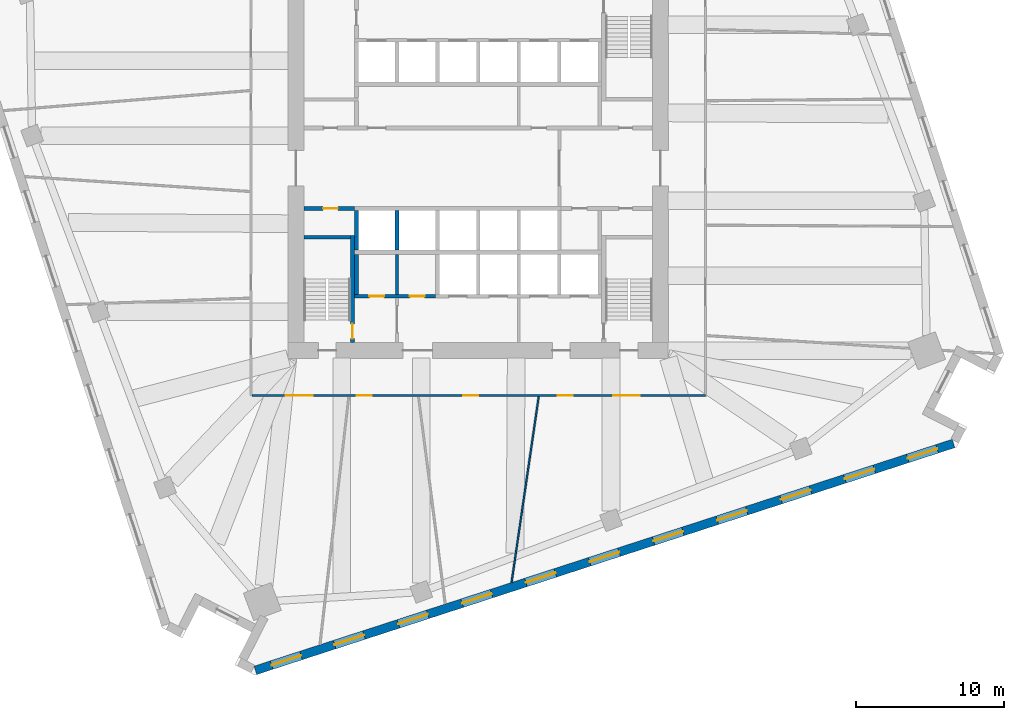
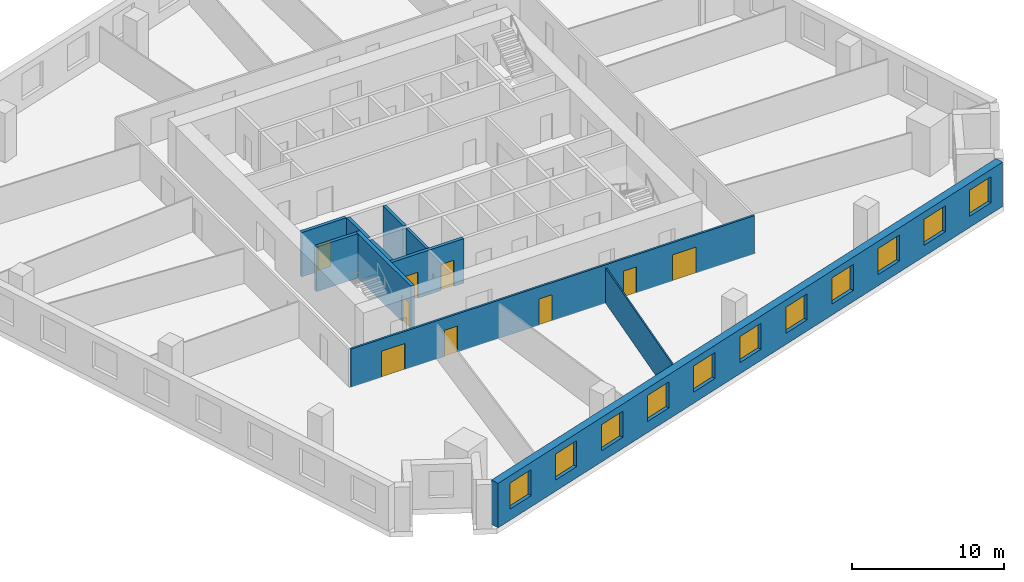
# One storey, part 6 of 12: 11 walls, 11 windows, 9 doors, 20 openings.
"""IFC4 building model written with IfcOpenShell, lengths in metres."""

import ifcopenshell
import ifcopenshell.guid

model = None  # the IFC model being written
_history = None  # IfcOwnerHistory: only IFC2X3 demands one
_inside = {}  # id of a spatial element -> (the spatial element, [elements in it])
_under = {}  # id of a project, library or spatial element -> (it, [spatial elements below it])
_declared = {}  # id of a project -> (the project, [libraries it declares])
_typed = {}  # id of a type object -> (the type object, [elements of that type])
_made_of = {}  # id of a material, layer set ... -> (it, [elements and type objects made of it])


def new_model(schema):
    """Start an empty IFC model of exactly this schema.

    Asked for "IFC4X3", IfcOpenShell would pick the latest addendum, in which some entities
    have other attributes; the version numbers below select the first issue.
    IFC2X3 requires an IfcOwnerHistory on every rooted entity: one is made here for all.
    """
    global model, _history
    if schema == "IFC4X3":
        model = ifcopenshell.file(schema_version=(4, 3, 0, 0))
    else:
        model = ifcopenshell.file(schema=schema)
    _inside.clear()
    _under.clear()
    _declared.clear()
    _typed.clear()
    _made_of.clear()
    _history = None
    if model.schema == "IFC2X3":
        org = make("IfcOrganization", Name="unknown")
        user = make(
            "IfcPersonAndOrganization",
            ThePerson=make("IfcPerson", FamilyName="unknown"),
            TheOrganization=org,
        )
        app = make(
            "IfcApplication",
            ApplicationDeveloper=org,
            Version="unknown",
            ApplicationFullName="unknown",
            ApplicationIdentifier="unknown",
        )
        _history = make(
            "IfcOwnerHistory",
            OwningUser=user,
            OwningApplication=app,
            ChangeAction="ADDED",
            CreationDate=0,
        )
    return model


def make(cls, **values):
    """One entity of the class cls with the attributes given. An attribute that is None is left unset."""
    return model.create_entity(
        cls, **{name: value for name, value in values.items() if value is not None}
    )


def rooted(cls, **values):
    """An entity with a GlobalId (a new one), such as an element, a storey or a relation."""
    return make(cls, GlobalId=ifcopenshell.guid.new(), OwnerHistory=_history, **values)


def si_unit(unit_type, name, prefix=None):
    """IfcSIUnit, for example si_unit("LENGTHUNIT", "METRE", prefix="MILLI")."""
    return make("IfcSIUnit", UnitType=unit_type, Prefix=prefix, Name=name)


def assignment(units):
    """IfcUnitAssignment: the units of a project."""
    return None if units is None else make("IfcUnitAssignment", Units=units)


def point(xyz):
    """IfcCartesianPoint."""
    return None if xyz is None else make("IfcCartesianPoint", Coordinates=xyz)


def direction(xyz):
    """IfcDirection."""
    return None if xyz is None else make("IfcDirection", DirectionRatios=xyz)


def frame(location, z_axis=None, x_axis=None):
    """IfcAxis2Placement3D, a coordinate frame: its origin and axes. An axis left out is left unset."""
    return make(
        "IfcAxis2Placement3D",
        Location=point(location),
        Axis=direction(z_axis),
        RefDirection=direction(x_axis),
    )


def frame_2d(location, x_axis=None):
    """IfcAxis2Placement2D, a coordinate frame in the plane: its origin and x axis."""
    return make(
        "IfcAxis2Placement2D", Location=point(location), RefDirection=direction(x_axis)
    )


def origin():
    """The frame at (0, 0, 0) with its axes left unset."""
    return frame((0.0, 0.0, 0.0))


def place(relative_to, where):
    """IfcLocalPlacement: puts the frame where relative to a parent placement (None: the world)."""
    return make(
        "IfcLocalPlacement", PlacementRelTo=relative_to, RelativePlacement=where
    )


def context(
    kind, dimensions, precision=None, world=None, true_north=None, identifier=None
):
    """IfcGeometricRepresentationContext, for example the 3D "Model" context."""
    return make(
        "IfcGeometricRepresentationContext",
        ContextIdentifier=identifier,
        ContextType=kind,
        CoordinateSpaceDimension=dimensions,
        Precision=precision,
        WorldCoordinateSystem=world,
        TrueNorth=true_north,
    )


def subcontext(parent, identifier, kind, view, scale=None):
    """IfcGeometricRepresentationSubContext, for example "Body" below "Model"."""
    return make(
        "IfcGeometricRepresentationSubContext",
        ContextIdentifier=identifier,
        ContextType=kind,
        ParentContext=parent,
        TargetScale=scale,
        TargetView=view,
    )


def project(units=None, contexts=None):
    """IfcProject with its units and contexts."""
    return rooted(
        "IfcProject",
        Name="project",
        RepresentationContexts=contexts,
        UnitsInContext=assignment(units),
    )


def spatial(cls, under=None, at=None, **own):
    """A site, building, storey or space (cls), placed at a placement, below another one or the project."""
    s = rooted(cls, ObjectPlacement=at, **own)
    if under is not None:
        _under.setdefault(under.id(), (under, []))[1].append(s)
    return s


def profile(cls, at=None, kind="AREA", **sizes):
    """A parametric profile (cls). Its sizes go by their IFC names, for example OverallWidth=200.0."""
    return make(cls, ProfileType=kind, Position=at, **sizes)


def rectangle(**sizes):
    """IfcRectangleProfileDef."""
    return profile("IfcRectangleProfileDef", **sizes)


def extrude(swept, where, along, depth):
    """IfcExtrudedAreaSolid: the profile swept, set in the frame where, extruded along a direction by depth."""
    return make(
        "IfcExtrudedAreaSolid",
        SweptArea=swept,
        Position=where,
        ExtrudedDirection=direction(along),
        Depth=depth,
    )


def shape(context_of_items, identifier, shape_type, items):
    """IfcShapeRepresentation: the items that make up one representation, for example the "Body"."""
    return make(
        "IfcShapeRepresentation",
        ContextOfItems=context_of_items,
        RepresentationIdentifier=identifier,
        RepresentationType=shape_type,
        Items=items,
    )


def material(Name=None, Category=None):
    """IfcMaterial."""
    return make("IfcMaterial", Name=Name, Category=Category)


def layer(
    of_material, thickness, ventilated=None, Name=None, Category=None, Priority=None
):
    """IfcMaterialLayer: one layer of a wall or slab, of a material (None: an air gap)."""
    return make(
        "IfcMaterialLayer",
        Material=of_material,
        LayerThickness=thickness,
        IsVentilated=ventilated,
        Name=Name,
        Category=Category,
        Priority=Priority,
    )


def layer_set(layers, Name=None):
    """IfcMaterialLayerSet."""
    return make("IfcMaterialLayerSet", MaterialLayers=layers, LayerSetName=Name)


def made_of(thing, what):
    """Note that an element or type object is made of a material, layer set ...; save() writes the relation."""
    if what is not None:
        _made_of.setdefault(what.id(), (what, []))[1].append(thing)
    return thing


def type_object(cls, material=None, **own):
    """A type object (cls), such as IfcWallType, which elements share."""
    return made_of(rooted(cls, **own), material)


def element(
    cls,
    number,
    at=None,
    inside=None,
    cuts=None,
    type_object=None,
    material=None,
    context=None,
    identifier="Body",
    shape_type=None,
    held_by="IfcProductDefinitionShape",
    body=None,
    shapes=None,
    **own,
):
    """One element of the class cls, such as IfcWall. Its Tag is "e" and its number.

    at: its placement. inside: the storey or other place that contains it. cuts: it is an
    opening in that element (IfcRelVoidsElement). A single representation is given by context,
    identifier, shape_type and body (its items); several are given by shapes. held_by: the class
    of the entity that holds the representations. save() writes the other relations.
    """
    e = rooted(cls, Tag="e%d" % number, ObjectPlacement=at, **own)
    if body is not None:
        shapes = [shape(context, identifier, shape_type, body)]
    if shapes is not None:
        e.Representation = make(held_by, Representations=shapes)
    if inside is not None:
        _inside.setdefault(inside.id(), (inside, []))[1].append(e)
    if cuts is not None:
        rooted(
            "IfcRelVoidsElement", RelatingBuildingElement=cuts, RelatedOpeningElement=e
        )
    if type_object is not None:
        _typed.setdefault(type_object.id(), (type_object, []))[1].append(e)
    return made_of(e, material)


def fill(opening, filler):
    """IfcRelFillsElement: the door or window that sits in an opening."""
    return rooted(
        "IfcRelFillsElement",
        RelatingOpeningElement=opening,
        RelatedBuildingElement=filler,
    )


def aggregate(whole, parts):
    """IfcRelAggregates: a whole, such as a stair, and the parts it consists of."""
    return rooted("IfcRelAggregates", RelatingObject=whole, RelatedObjects=parts)


def save(model, path):
    """Write the relations noted so far, then the file.

    IfcRelAggregates (storeys below a building ...), IfcRelContainedInSpatialStructure (elements
    in a storey), IfcRelDefinesByType, IfcRelAssociatesMaterial and IfcRelDeclares: one each for
    every whole, place, type object, material and project.
    """
    for whole, parts in _under.values():
        aggregate(whole, parts)
    for where, things in _inside.values():
        rooted(
            "IfcRelContainedInSpatialStructure",
            RelatedElements=things,
            RelatingStructure=where,
        )
    for kind, things in _typed.values():
        rooted("IfcRelDefinesByType", RelatedObjects=things, RelatingType=kind)
    for what, things in _made_of.values():
        rooted("IfcRelAssociatesMaterial", RelatedObjects=things, RelatingMaterial=what)
    for by, libraries in _declared.values():
        rooted("IfcRelDeclares", RelatingContext=by, RelatedDefinitions=libraries)
    model.write(path)


model = new_model("IFC4")

# Units and contexts
model_context = context("Model", 3, precision=1e-05, world=origin(), true_north=direction((0.0, 1.0)))
body_context = subcontext(model_context, "Body", "Model", "MODEL_VIEW")
ifc_project = project(units=[si_unit("LENGTHUNIT", "METRE"), si_unit("AREAUNIT", "SQUARE_METRE"), si_unit("VOLUMEUNIT", "CUBIC_METRE"), si_unit("PLANEANGLEUNIT", "RADIAN"), si_unit("MASSUNIT", "GRAM", prefix="KILO")], contexts=[model_context])

# Site, building, storey
site_placement = place(None, origin())
site = spatial("IfcSite", under=ifc_project, at=site_placement, CompositionType="ELEMENT")
building_placement = place(site_placement, origin())
building = spatial("IfcBuilding", under=site, at=building_placement, Name="Dilmun Exchange Tower", CompositionType="ELEMENT")
storey_placement = place(building_placement, frame((0.0, 0.0, 94.10009765625)))
storey = spatial("IfcBuildingStorey", under=building, at=storey_placement, Name="L21", CompositionType="ELEMENT", Elevation=94.10009765625)

# Wall
ifc_material_1 = material(Name="Concrete C40/50", Category="concrete")
ifc_layer_1 = layer(ifc_material_1, 0.199951171875)
ifc_layer_set_1 = layer_set([ifc_layer_1], Name="Concrete C40/50")
wall_type_1 = type_object("IfcWallType", Name="Core partition wall 200", PredefinedType="PARTITIONING", material=ifc_layer_set_1)
wall_1_placement = place(storey_placement, frame((-5.5, -8.544921875, 0.0), z_axis=(0.0, 0.0, 1.0), x_axis=(0.0, 1.0, 0.0)))
element("IfcWall", 1, at=wall_1_placement, inside=storey, type_object=wall_type_1, Name="L21 core partition wall 05", PredefinedType="PARTITIONING", context=body_context, shape_type="SweptSolid", body=[
    extrude(rectangle(XDim=2.68994140625, YDim=0.199951171875, at=frame_2d((1.344970703125, 0.0))), origin(), (0.0, 0.0, 1.0), 3.579833984375),
])

# Wall, openings, doors
ifc_layer_2 = layer(ifc_material_1, 0.25)
ifc_layer_set_2 = layer_set([ifc_layer_2], Name="Concrete C40/50")
wall_type_2 = type_object("IfcWallType", Name="Core partition wall 250", PredefinedType="PARTITIONING", material=ifc_layer_set_2)
wall_2_placement = place(storey_placement, frame((-8.3701171875, -8.675048828125, 0.0), z_axis=(0.0, 0.0, 1.0), x_axis=(1.0, 0.0, 0.0)))
wall_2 = element("IfcWall", 2, at=wall_2_placement, inside=storey, type_object=wall_type_2, Name="L21 core partition wall 03", PredefinedType="PARTITIONING", context=body_context, shape_type="SweptSolid", body=[
    extrude(rectangle(XDim=5.490234375, YDim=0.25, at=frame_2d((2.7451171875, 0.0))), origin(), (0.0, 0.0, 1.0), 3.579833984375),
])
opening_1_placement = place(wall_2_placement, frame((0.9951171875, 0.0, 0.0)))
opening_1 = element("IfcOpeningElement", 3, at=opening_1_placement, cuts=wall_2, Name="Opening CD4", PredefinedType="OPENING", context=body_context, shape_type="SweptSolid", body=[
    extrude(rectangle(XDim=1.0, YDim=2.10009765625, at=frame_2d((0.5, 1.050048828125))), frame((0.0, 0.135009765625, 0.0), z_axis=(0.0, -1.0, 0.0), x_axis=(1.0, 0.0, 0.0)), (0.0, 0.0, 1.0), 0.27001953125),
])
opening_2_placement = place(wall_2_placement, frame((3.7451171875, 0.0, 0.0)))
opening_2 = element("IfcOpeningElement", 4, at=opening_2_placement, cuts=wall_2, Name="Opening CD4", PredefinedType="OPENING", context=body_context, shape_type="SweptSolid", body=[
    extrude(rectangle(XDim=1.0, YDim=2.10009765625, at=frame_2d((0.5, 1.050048828125))), frame((0.0, 0.135009765625, 0.0), z_axis=(0.0, -1.0, 0.0), x_axis=(1.0, 0.0, 0.0)), (0.0, 0.0, 1.0), 0.27001953125),
])
ifc_material_2 = material(Name="Fire-rated steel door set", Category="steel")
door_type_1 = type_object("IfcDoorType", Name="Core room door 1000x2100", OperationType="SINGLE_SWING_LEFT", PredefinedType="DOOR", material=ifc_material_2)
door_1_placement = place(opening_1_placement, origin())
door_1 = element("IfcDoor", 5, at=door_1_placement, inside=storey, type_object=door_type_1, Name="L21 door Male WC", OperationType="SINGLE_SWING_RIGHT", OverallHeight=2.10009765625, OverallWidth=1.0, PredefinedType="DOOR", context=body_context, shape_type="SweptSolid", body=[
    extrude(rectangle(XDim=1.0, YDim=2.10009765625, at=frame_2d((0.5, 1.050048828125))), frame((0.0, 0.02490234375, 0.0), z_axis=(0.0, -1.0, 0.0), x_axis=(1.0, 0.0, 0.0)), (0.0, 0.0, 1.0), 0.050048828125),
])
fill(opening_1, door_1)
door_2_placement = place(opening_2_placement, origin())
door_2 = element("IfcDoor", 6, at=door_2_placement, inside=storey, type_object=door_type_1, Name="L21 door Female WC", OperationType="SINGLE_SWING_RIGHT", OverallHeight=2.10009765625, OverallWidth=1.0, PredefinedType="DOOR", context=body_context, shape_type="SweptSolid", body=[
    extrude(rectangle(XDim=1.0, YDim=2.10009765625, at=frame_2d((0.5, 1.050048828125))), frame((0.0, 0.02490234375, 0.0), z_axis=(0.0, -1.0, 0.0), x_axis=(1.0, 0.0, 0.0)), (0.0, 0.0, 1.0), 0.050048828125),
])
fill(opening_2, door_2)

# Wall
wall_3_placement = place(storey_placement, frame((-8.25, -8.544921875, 0.0), z_axis=(0.0, 0.0, 1.0), x_axis=(0.0, 1.0, 0.0)))
element("IfcWall", 7, at=wall_3_placement, inside=storey, type_object=wall_type_2, Name="L21 core partition wall 04", PredefinedType="PARTITIONING", context=body_context, shape_type="SweptSolid", body=[
    extrude(rectangle(XDim=2.68994140625, YDim=0.25, at=frame_2d((1.344970703125, 0.0))), origin(), (0.0, 0.0, 1.0), 3.579833984375),
])

# Wall, opening, door
wall_4_placement = place(storey_placement, frame((-11.794921875, -2.72509765625, 0.0), z_axis=(0.0, 0.0, 1.0), x_axis=(1.0, 0.0, 0.0)))
wall_4 = element("IfcWall", 8, at=wall_4_placement, inside=storey, type_object=wall_type_2, Name="L21 core partition wall 07", PredefinedType="PARTITIONING", context=body_context, shape_type="SweptSolid", body=[
    extrude(rectangle(XDim=3.4150390625, YDim=0.25, at=frame_2d((1.70751953125, 0.0))), origin(), (0.0, 0.0, 1.0), 3.579833984375),
])
opening_3_placement = place(wall_4_placement, frame((1.294921875, 0.0, 0.0)))
opening_3 = element("IfcOpeningElement", 9, at=opening_3_placement, cuts=wall_4, Name="Opening CD4", PredefinedType="OPENING", context=body_context, shape_type="SweptSolid", body=[
    extrude(rectangle(XDim=1.0, YDim=2.10009765625, at=frame_2d((0.5, 1.050048828125))), frame((0.0, 0.135009765625, 0.0), z_axis=(0.0, -1.0, 0.0), x_axis=(1.0, 0.0, 0.0)), (0.0, 0.0, 1.0), 0.27001953125),
])
door_3_placement = place(opening_3_placement, origin())
door_3 = element("IfcDoor", 10, at=door_3_placement, inside=storey, type_object=door_type_1, Name="L21 door Accessible WC", OperationType="SINGLE_SWING_RIGHT", OverallHeight=2.10009765625, OverallWidth=1.0, PredefinedType="DOOR", context=body_context, shape_type="SweptSolid", body=[
    extrude(rectangle(XDim=1.0, YDim=2.10009765625, at=frame_2d((0.5, 1.050048828125))), frame((0.0, 0.02490234375, 0.0), z_axis=(0.0, -1.0, 0.0), x_axis=(1.0, 0.0, 0.0)), (0.0, 0.0, 1.0), 0.050048828125),
])
fill(opening_3, door_3)

# Wall, openings, doors
ifc_material_3 = material(Name="Corridor wall 150")
ifc_layer_3 = layer(ifc_material_3, 0.14990234375)
ifc_layer_set_3 = layer_set([ifc_layer_3], Name="Corridor wall 150")
wall_type_3 = type_object("IfcWallType", Name="Corridor wall 150", PredefinedType="PARTITIONING", material=ifc_layer_set_3)
wall_5_placement = place(storey_placement, frame((-15.324951171875, -15.39990234375, 0.0), z_axis=(0.0, 0.0, 1.0), x_axis=(1.0, 0.0, 0.0)))
wall_5 = element("IfcWall", 11, at=wall_5_placement, inside=storey, type_object=wall_type_3, Name="Corridor wall", PredefinedType="PARTITIONING", context=body_context, shape_type="SweptSolid", body=[
    extrude(rectangle(XDim=30.724853515625, YDim=0.14990234375, at=frame_2d((15.3623046875, 0.0))), origin(), (0.0, 0.0, 1.0), 3.079833984375),
])
opening_4_placement = place(wall_5_placement, frame((2.300048828125, 0.0, 0.0)))
opening_4 = element("IfcOpeningElement", 12, at=opening_4_placement, cuts=wall_5, Name="Opening TF20-D06", PredefinedType="OPENING", context=body_context, shape_type="SweptSolid", body=[
    extrude(rectangle(XDim=1.800048828125, YDim=2.10009765625, at=frame_2d((0.89990234375, 1.050048828125))), frame((0.0, 0.0849609375, 0.0), z_axis=(0.0, -1.0, 0.0), x_axis=(1.0, 0.0, 0.0)), (0.0, 0.0, 1.0), 0.169921875),
])
opening_5_placement = place(wall_5_placement, frame((7.10888671875, 0.0, 0.0)))
opening_5 = element("IfcOpeningElement", 13, at=opening_5_placement, cuts=wall_5, Name="Opening TF20-D08", PredefinedType="OPENING", context=body_context, shape_type="SweptSolid", body=[
    extrude(rectangle(XDim=1.0, YDim=2.10009765625, at=frame_2d((0.5, 1.050048828125))), frame((0.0, 0.0849609375, 0.0), z_axis=(0.0, -1.0, 0.0), x_axis=(1.0, 0.0, 0.0)), (0.0, 0.0, 1.0), 0.169921875),
])
opening_6_placement = place(wall_5_placement, frame((14.3203125, 0.0, 0.0)))
opening_6 = element("IfcOpeningElement", 14, at=opening_6_placement, cuts=wall_5, Name="Opening TF20-D11", PredefinedType="OPENING", context=body_context, shape_type="SweptSolid", body=[
    extrude(rectangle(XDim=1.0, YDim=2.10009765625, at=frame_2d((0.5, 1.050048828125))), frame((0.0, 0.0849609375, 0.0), z_axis=(0.0, -1.0, 0.0), x_axis=(1.0, 0.0, 0.0)), (0.0, 0.0, 1.0), 0.169921875),
])
opening_7_placement = place(wall_5_placement, frame((24.48486328125, 0.0, 0.0)))
opening_7 = element("IfcOpeningElement", 15, at=opening_7_placement, cuts=wall_5, Name="Opening TF20-D13", PredefinedType="OPENING", context=body_context, shape_type="SweptSolid", body=[
    extrude(rectangle(XDim=1.800048828125, YDim=2.10009765625, at=frame_2d((0.89990234375, 1.050048828125))), frame((0.0, 0.0849609375, 0.0), z_axis=(0.0, -1.0, 0.0), x_axis=(1.0, 0.0, 0.0)), (0.0, 0.0, 1.0), 0.169921875),
])
opening_8_placement = place(wall_5_placement, frame((20.73486328125, 0.0, 0.0)))
opening_8 = element("IfcOpeningElement", 16, at=opening_8_placement, cuts=wall_5, Name="Opening TF20-D14", PredefinedType="OPENING", context=body_context, shape_type="SweptSolid", body=[
    extrude(rectangle(XDim=1.0, YDim=2.10009765625, at=frame_2d((0.5, 1.050048828125))), frame((0.0, 0.0849609375, 0.0), z_axis=(0.0, -1.0, 0.0), x_axis=(1.0, 0.0, 0.0)), (0.0, 0.0, 1.0), 0.169921875),
])
ifc_material_4 = material(Name="Fire door 1000 x 2100")
door_type_2 = type_object("IfcDoorType", Name="Fire door 1000 x 2100", OperationType="NOTDEFINED", PredefinedType="DOOR", material=ifc_material_4)
door_4_placement = place(opening_5_placement, frame((1.0, 0.0, 0.0), z_axis=(0.0, 0.0, 1.0), x_axis=(-1.0, 0.0, 0.0)))
door_4 = element("IfcDoor", 17, at=door_4_placement, inside=storey, type_object=door_type_2, Name="Door TF20-D08", OperationType="SINGLE_SWING_LEFT", OverallHeight=2.10009765625, OverallWidth=1.0, PredefinedType="DOOR", context=body_context, shape_type="SweptSolid", body=[
    extrude(rectangle(XDim=1.0, YDim=2.10009765625, at=frame_2d((0.5, 1.050048828125))), frame((0.0, 0.02490234375, 0.0), z_axis=(0.0, -1.0, 0.0), x_axis=(1.0, 0.0, 0.0)), (0.0, 0.0, 1.0), 0.050048828125),
])
fill(opening_5, door_4)
door_5_placement = place(opening_6_placement, frame((1.0, 0.0, 0.0), z_axis=(0.0, 0.0, 1.0), x_axis=(-1.0, 0.0, 0.0)))
door_5 = element("IfcDoor", 18, at=door_5_placement, inside=storey, type_object=door_type_2, Name="Door TF20-D11", OperationType="SINGLE_SWING_LEFT", OverallHeight=2.10009765625, OverallWidth=1.0, PredefinedType="DOOR", context=body_context, shape_type="SweptSolid", body=[
    extrude(rectangle(XDim=1.0, YDim=2.10009765625, at=frame_2d((0.5, 1.050048828125))), frame((0.0, 0.02490234375, 0.0), z_axis=(0.0, -1.0, 0.0), x_axis=(1.0, 0.0, 0.0)), (0.0, 0.0, 1.0), 0.050048828125),
])
fill(opening_6, door_5)
door_6_placement = place(opening_8_placement, frame((1.0, 0.0, 0.0), z_axis=(0.0, 0.0, 1.0), x_axis=(-1.0, 0.0, 0.0)))
door_6 = element("IfcDoor", 19, at=door_6_placement, inside=storey, type_object=door_type_2, Name="Door TF20-D14", OperationType="SINGLE_SWING_LEFT", OverallHeight=2.10009765625, OverallWidth=1.0, PredefinedType="DOOR", context=body_context, shape_type="SweptSolid", body=[
    extrude(rectangle(XDim=1.0, YDim=2.10009765625, at=frame_2d((0.5, 1.050048828125))), frame((0.0, 0.02490234375, 0.0), z_axis=(0.0, -1.0, 0.0), x_axis=(1.0, 0.0, 0.0)), (0.0, 0.0, 1.0), 0.050048828125),
])
fill(opening_8, door_6)
ifc_material_5 = material(Name="Fire door pair 1800 x 2100")
door_type_3 = type_object("IfcDoorType", Name="Fire door pair 1800 x 2100", OperationType="NOTDEFINED", PredefinedType="DOOR", material=ifc_material_5)
door_7_placement = place(opening_4_placement, frame((1.800048828125, 0.0, 0.0), z_axis=(0.0, 0.0, 1.0), x_axis=(-1.0, 0.0, 0.0)))
door_7 = element("IfcDoor", 20, at=door_7_placement, inside=storey, type_object=door_type_3, Name="Door TF20-D06", OperationType="DOUBLE_DOOR_SINGLE_SWING", OverallHeight=2.10009765625, OverallWidth=1.800048828125, PredefinedType="DOOR", context=body_context, shape_type="SweptSolid", body=[
    extrude(rectangle(XDim=1.800048828125, YDim=2.10009765625, at=frame_2d((0.89990234375, 1.050048828125))), frame((0.0, 0.02490234375, 0.0), z_axis=(0.0, -1.0, 0.0), x_axis=(1.0, 0.0, 0.0)), (0.0, 0.0, 1.0), 0.050048828125),
])
fill(opening_4, door_7)
door_8_placement = place(opening_7_placement, frame((1.800048828125, 0.0, 0.0), z_axis=(0.0, 0.0, 1.0), x_axis=(-1.0, 0.0, 0.0)))
door_8 = element("IfcDoor", 21, at=door_8_placement, inside=storey, type_object=door_type_3, Name="Door TF20-D13", OperationType="DOUBLE_DOOR_SINGLE_SWING", OverallHeight=2.10009765625, OverallWidth=1.800048828125, PredefinedType="DOOR", context=body_context, shape_type="SweptSolid", body=[
    extrude(rectangle(XDim=1.800048828125, YDim=2.10009765625, at=frame_2d((0.89990234375, 1.050048828125))), frame((0.0, 0.02490234375, 0.0), z_axis=(0.0, -1.0, 0.0), x_axis=(1.0, 0.0, 0.0)), (0.0, 0.0, 1.0), 0.050048828125),
])
fill(opening_7, door_8)

# Walls
ifc_layer_4 = layer(ifc_material_1, 0.25)
ifc_layer_set_4 = layer_set([ifc_layer_4], Name="Concrete C40/50")
wall_type_4 = type_object("IfcWallType", Name="Lift shaft wall 250", PredefinedType="SOLIDWALL", material=ifc_layer_set_4)
for number, where, z_axis, x_axis, name in (
    (22, (-8.25, -5.550048828125, 0.0), (0.0, 0.0, 1.0), (0.0, 1.0, 0.0), "L21 lift shaft divider S10"),
    (23, (-5.5, -5.550048828125, 0.0), (0.0, 0.0, 1.0), (0.0, 1.0, 0.0), "L21 lift shaft divider S11"),
):
    element("IfcWall", number, at=place(storey_placement, frame(where, z_axis=z_axis, x_axis=x_axis)), inside=storey, type_object=wall_type_4, Name=name, PredefinedType="SOLIDWALL", context=body_context, shape_type="SweptSolid", body=[
        extrude(rectangle(XDim=2.699951171875, YDim=0.25, at=frame_2d((1.35009765625, 0.0))), origin(), (0.0, 0.0, 1.0), 3.579833984375),
    ])
ifc_material_6 = material(Name="Partition 100")
ifc_layer_5 = layer(ifc_material_6, 0.10009765625)
ifc_layer_set_5 = layer_set([ifc_layer_5], Name="Partition 100")
wall_type_5 = type_object("IfcWallType", Name="Partition 100", PredefinedType="PARTITIONING", material=ifc_layer_set_5)
wall_6_placement = place(storey_placement, frame((2.26416015625, -28.072265625, 0.0), z_axis=(0.0, 0.0, 1.0), x_axis=(0.144598494154, 0.989490412025, 0.0)))
element("IfcWall", 24, at=wall_6_placement, inside=storey, type_object=wall_type_5, Name="Partition", PredefinedType="PARTITIONING", context=body_context, shape_type="SweptSolid", body=[
    extrude(rectangle(XDim=12.723876953125, YDim=0.10009765625, at=frame_2d((6.36181640625, 0.0))), origin(), (0.0, 0.0, 1.0), 2.829833984375),
])

# Wall, openings, windows
ifc_material_7 = material(Name="Precast concrete C50/60", Category="concrete")
ifc_layer_6 = layer(ifc_material_7, 0.60009765625)
ifc_layer_set_6 = layer_set([ifc_layer_6], Name="Precast concrete C50/60")
wall_type_6 = type_object("IfcWallType", Name="Precast stone-clad wall 600", PredefinedType="STANDARD", material=ifc_layer_set_6)
wall_7_placement = place(storey_placement, frame((-15.098388671875, -34.03125, 0.0), z_axis=(0.0, 0.0, 1.0), x_axis=(0.951056568917, 0.309016832421, 0.0)))
wall_7 = element("IfcWall", 25, at=wall_7_placement, inside=storey, type_object=wall_type_6, Name="Facade wall L21-15", PredefinedType="STANDARD", context=body_context, shape_type="SweptSolid", body=[
    extrude(rectangle(XDim=49.75146484375, YDim=0.60009765625, at=frame_2d((24.875732421875, 0.0))), origin(), (0.0, 0.0, 1.0), 3.579833984375),
])
opening_9_placement = place(wall_7_placement, frame((1.16064453125, 0.0, 0.89990234375)))
opening_9 = element("IfcOpeningElement", 26, at=opening_9_placement, cuts=wall_7, Name="Opening W210-210", PredefinedType="OPENING", context=body_context, shape_type="SweptSolid", body=[
    extrude(rectangle(XDim=2.10009765625, YDim=2.10009765625, at=frame_2d((1.050048828125, 1.050048828125))), frame((0.0, 0.31005859375, 0.0), z_axis=(0.0, -1.0, 0.0), x_axis=(1.0, 0.0, 0.0)), (0.0, 0.0, 1.0), 0.6201171875),
])
opening_10_placement = place(wall_7_placement, frame((5.643798828125, 0.0, 0.89990234375)))
opening_10 = element("IfcOpeningElement", 27, at=opening_10_placement, cuts=wall_7, Name="Opening W210-210", PredefinedType="OPENING", context=body_context, shape_type="SweptSolid", body=[
    extrude(rectangle(XDim=2.10009765625, YDim=2.10009765625, at=frame_2d((1.050048828125, 1.050048828125))), frame((0.0, 0.31005859375, 0.0), z_axis=(0.0, -1.0, 0.0), x_axis=(1.0, 0.0, 0.0)), (0.0, 0.0, 1.0), 0.6201171875),
])
opening_11_placement = place(wall_7_placement, frame((10.189453125, 0.0, 0.89990234375)))
opening_11 = element("IfcOpeningElement", 28, at=opening_11_placement, cuts=wall_7, Name="Opening W210-210", PredefinedType="OPENING", context=body_context, shape_type="SweptSolid", body=[
    extrude(rectangle(XDim=2.10009765625, YDim=2.10009765625, at=frame_2d((1.050048828125, 1.050048828125))), frame((0.0, 0.31005859375, 0.0), z_axis=(0.0, -1.0, 0.0), x_axis=(1.0, 0.0, 0.0)), (0.0, 0.0, 1.0), 0.6201171875),
])
opening_12_placement = place(wall_7_placement, frame((14.73486328125, 0.0, 0.89990234375)))
opening_12 = element("IfcOpeningElement", 29, at=opening_12_placement, cuts=wall_7, Name="Opening W210-210", PredefinedType="OPENING", context=body_context, shape_type="SweptSolid", body=[
    extrude(rectangle(XDim=2.10009765625, YDim=2.10009765625, at=frame_2d((1.050048828125, 1.050048828125))), frame((0.0, 0.31005859375, 0.0), z_axis=(0.0, -1.0, 0.0), x_axis=(1.0, 0.0, 0.0)), (0.0, 0.0, 1.0), 0.6201171875),
])
opening_13_placement = place(wall_7_placement, frame((19.2802734375, 0.0, 0.89990234375)))
opening_13 = element("IfcOpeningElement", 30, at=opening_13_placement, cuts=wall_7, Name="Opening W210-210", PredefinedType="OPENING", context=body_context, shape_type="SweptSolid", body=[
    extrude(rectangle(XDim=2.10009765625, YDim=2.10009765625, at=frame_2d((1.050048828125, 1.050048828125))), frame((0.0, 0.31005859375, 0.0), z_axis=(0.0, -1.0, 0.0), x_axis=(1.0, 0.0, 0.0)), (0.0, 0.0, 1.0), 0.6201171875),
])
opening_14_placement = place(wall_7_placement, frame((23.82568359375, 0.0, 0.89990234375)))
opening_14 = element("IfcOpeningElement", 31, at=opening_14_placement, cuts=wall_7, Name="Opening W210-210", PredefinedType="OPENING", context=body_context, shape_type="SweptSolid", body=[
    extrude(rectangle(XDim=2.10009765625, YDim=2.10009765625, at=frame_2d((1.050048828125, 1.050048828125))), frame((0.0, 0.31005859375, 0.0), z_axis=(0.0, -1.0, 0.0), x_axis=(1.0, 0.0, 0.0)), (0.0, 0.0, 1.0), 0.6201171875),
])
opening_15_placement = place(wall_7_placement, frame((28.37109375, 0.0, 0.89990234375)))
opening_15 = element("IfcOpeningElement", 32, at=opening_15_placement, cuts=wall_7, Name="Opening W210-210", PredefinedType="OPENING", context=body_context, shape_type="SweptSolid", body=[
    extrude(rectangle(XDim=2.10009765625, YDim=2.10009765625, at=frame_2d((1.050048828125, 1.050048828125))), frame((0.0, 0.31005859375, 0.0), z_axis=(0.0, -1.0, 0.0), x_axis=(1.0, 0.0, 0.0)), (0.0, 0.0, 1.0), 0.6201171875),
])
opening_16_placement = place(wall_7_placement, frame((32.91650390625, 0.0, 0.89990234375)))
opening_16 = element("IfcOpeningElement", 33, at=opening_16_placement, cuts=wall_7, Name="Opening W210-210", PredefinedType="OPENING", context=body_context, shape_type="SweptSolid", body=[
    extrude(rectangle(XDim=2.10009765625, YDim=2.10009765625, at=frame_2d((1.050048828125, 1.050048828125))), frame((0.0, 0.31005859375, 0.0), z_axis=(0.0, -1.0, 0.0), x_axis=(1.0, 0.0, 0.0)), (0.0, 0.0, 1.0), 0.6201171875),
])
opening_17_placement = place(wall_7_placement, frame((37.462158203125, 0.0, 0.89990234375)))
opening_17 = element("IfcOpeningElement", 34, at=opening_17_placement, cuts=wall_7, Name="Opening W210-210", PredefinedType="OPENING", context=body_context, shape_type="SweptSolid", body=[
    extrude(rectangle(XDim=2.10009765625, YDim=2.10009765625, at=frame_2d((1.050048828125, 1.050048828125))), frame((0.0, 0.31005859375, 0.0), z_axis=(0.0, -1.0, 0.0), x_axis=(1.0, 0.0, 0.0)), (0.0, 0.0, 1.0), 0.6201171875),
])
opening_18_placement = place(wall_7_placement, frame((42.007568359375, 0.0, 0.89990234375)))
opening_18 = element("IfcOpeningElement", 35, at=opening_18_placement, cuts=wall_7, Name="Opening W210-210", PredefinedType="OPENING", context=body_context, shape_type="SweptSolid", body=[
    extrude(rectangle(XDim=2.10009765625, YDim=2.10009765625, at=frame_2d((1.050048828125, 1.050048828125))), frame((0.0, 0.31005859375, 0.0), z_axis=(0.0, -1.0, 0.0), x_axis=(1.0, 0.0, 0.0)), (0.0, 0.0, 1.0), 0.6201171875),
])
opening_19_placement = place(wall_7_placement, frame((46.490966796875, 0.0, 0.89990234375)))
opening_19 = element("IfcOpeningElement", 36, at=opening_19_placement, cuts=wall_7, Name="Opening W210-210", PredefinedType="OPENING", context=body_context, shape_type="SweptSolid", body=[
    extrude(rectangle(XDim=2.10009765625, YDim=2.10009765625, at=frame_2d((1.050048828125, 1.050048828125))), frame((0.0, 0.31005859375, 0.0), z_axis=(0.0, -1.0, 0.0), x_axis=(1.0, 0.0, 0.0)), (0.0, 0.0, 1.0), 0.6201171875),
])
ifc_material_8 = material(Name="Clear low-emissivity glass in aluminium frame", Category="aluminium")
window_type = type_object("IfcWindowType", Name="Punched window 2100 x 2100", PartitioningType="DOUBLE_PANEL_VERTICAL", PredefinedType="WINDOW", material=ifc_material_8)
window_1_placement = place(opening_9_placement, origin())
window_1 = element("IfcWindow", 37, at=window_1_placement, inside=storey, type_object=window_type, Name="Window 16.1", OverallHeight=2.10009765625, OverallWidth=2.10009765625, PartitioningType="SINGLE_PANEL", PredefinedType="WINDOW", context=body_context, shape_type="SweptSolid", body=[
    extrude(rectangle(XDim=2.10009765625, YDim=2.10009765625, at=frame_2d((1.050048828125, 1.050048828125))), frame((0.0, 0.030029296875, 0.0), z_axis=(0.0, -1.0, 0.0), x_axis=(1.0, 0.0, 0.0)), (0.0, 0.0, 1.0), 0.06005859375),
])
fill(opening_9, window_1)
window_2_placement = place(opening_10_placement, origin())
window_2 = element("IfcWindow", 38, at=window_2_placement, inside=storey, type_object=window_type, Name="Window 16.2", OverallHeight=2.10009765625, OverallWidth=2.10009765625, PartitioningType="SINGLE_PANEL", PredefinedType="WINDOW", context=body_context, shape_type="SweptSolid", body=[
    extrude(rectangle(XDim=2.10009765625, YDim=2.10009765625, at=frame_2d((1.050048828125, 1.050048828125))), frame((0.0, 0.030029296875, 0.0), z_axis=(0.0, -1.0, 0.0), x_axis=(1.0, 0.0, 0.0)), (0.0, 0.0, 1.0), 0.06005859375),
])
fill(opening_10, window_2)
window_3_placement = place(opening_11_placement, origin())
window_3 = element("IfcWindow", 39, at=window_3_placement, inside=storey, type_object=window_type, Name="Window 16.3", OverallHeight=2.10009765625, OverallWidth=2.10009765625, PartitioningType="SINGLE_PANEL", PredefinedType="WINDOW", context=body_context, shape_type="SweptSolid", body=[
    extrude(rectangle(XDim=2.10009765625, YDim=2.10009765625, at=frame_2d((1.050048828125, 1.050048828125))), frame((0.0, 0.030029296875, 0.0), z_axis=(0.0, -1.0, 0.0), x_axis=(1.0, 0.0, 0.0)), (0.0, 0.0, 1.0), 0.06005859375),
])
fill(opening_11, window_3)
window_4_placement = place(opening_12_placement, origin())
window_4 = element("IfcWindow", 40, at=window_4_placement, inside=storey, type_object=window_type, Name="Window 16.4", OverallHeight=2.10009765625, OverallWidth=2.10009765625, PartitioningType="SINGLE_PANEL", PredefinedType="WINDOW", context=body_context, shape_type="SweptSolid", body=[
    extrude(rectangle(XDim=2.10009765625, YDim=2.10009765625, at=frame_2d((1.050048828125, 1.050048828125))), frame((0.0, 0.030029296875, 0.0), z_axis=(0.0, -1.0, 0.0), x_axis=(1.0, 0.0, 0.0)), (0.0, 0.0, 1.0), 0.06005859375),
])
fill(opening_12, window_4)
window_5_placement = place(opening_13_placement, origin())
window_5 = element("IfcWindow", 41, at=window_5_placement, inside=storey, type_object=window_type, Name="Window 16.5", OverallHeight=2.10009765625, OverallWidth=2.10009765625, PartitioningType="SINGLE_PANEL", PredefinedType="WINDOW", context=body_context, shape_type="SweptSolid", body=[
    extrude(rectangle(XDim=2.10009765625, YDim=2.10009765625, at=frame_2d((1.050048828125, 1.050048828125))), frame((0.0, 0.030029296875, 0.0), z_axis=(0.0, -1.0, 0.0), x_axis=(1.0, 0.0, 0.0)), (0.0, 0.0, 1.0), 0.06005859375),
])
fill(opening_13, window_5)
window_6_placement = place(opening_14_placement, origin())
window_6 = element("IfcWindow", 42, at=window_6_placement, inside=storey, type_object=window_type, Name="Window 16.6", OverallHeight=2.10009765625, OverallWidth=2.10009765625, PartitioningType="SINGLE_PANEL", PredefinedType="WINDOW", context=body_context, shape_type="SweptSolid", body=[
    extrude(rectangle(XDim=2.10009765625, YDim=2.10009765625, at=frame_2d((1.050048828125, 1.050048828125))), frame((0.0, 0.030029296875, 0.0), z_axis=(0.0, -1.0, 0.0), x_axis=(1.0, 0.0, 0.0)), (0.0, 0.0, 1.0), 0.06005859375),
])
fill(opening_14, window_6)
window_7_placement = place(opening_15_placement, origin())
window_7 = element("IfcWindow", 43, at=window_7_placement, inside=storey, type_object=window_type, Name="Window 16.7", OverallHeight=2.10009765625, OverallWidth=2.10009765625, PartitioningType="SINGLE_PANEL", PredefinedType="WINDOW", context=body_context, shape_type="SweptSolid", body=[
    extrude(rectangle(XDim=2.10009765625, YDim=2.10009765625, at=frame_2d((1.050048828125, 1.050048828125))), frame((0.0, 0.030029296875, 0.0), z_axis=(0.0, -1.0, 0.0), x_axis=(1.0, 0.0, 0.0)), (0.0, 0.0, 1.0), 0.06005859375),
])
fill(opening_15, window_7)
window_8_placement = place(opening_16_placement, origin())
window_8 = element("IfcWindow", 44, at=window_8_placement, inside=storey, type_object=window_type, Name="Window 16.8", OverallHeight=2.10009765625, OverallWidth=2.10009765625, PartitioningType="SINGLE_PANEL", PredefinedType="WINDOW", context=body_context, shape_type="SweptSolid", body=[
    extrude(rectangle(XDim=2.10009765625, YDim=2.10009765625, at=frame_2d((1.050048828125, 1.050048828125))), frame((0.0, 0.030029296875, 0.0), z_axis=(0.0, -1.0, 0.0), x_axis=(1.0, 0.0, 0.0)), (0.0, 0.0, 1.0), 0.06005859375),
])
fill(opening_16, window_8)
window_9_placement = place(opening_17_placement, origin())
window_9 = element("IfcWindow", 45, at=window_9_placement, inside=storey, type_object=window_type, Name="Window 16.9", OverallHeight=2.10009765625, OverallWidth=2.10009765625, PartitioningType="SINGLE_PANEL", PredefinedType="WINDOW", context=body_context, shape_type="SweptSolid", body=[
    extrude(rectangle(XDim=2.10009765625, YDim=2.10009765625, at=frame_2d((1.050048828125, 1.050048828125))), frame((0.0, 0.030029296875, 0.0), z_axis=(0.0, -1.0, 0.0), x_axis=(1.0, 0.0, 0.0)), (0.0, 0.0, 1.0), 0.06005859375),
])
fill(opening_17, window_9)
window_10_placement = place(opening_18_placement, origin())
window_10 = element("IfcWindow", 46, at=window_10_placement, inside=storey, type_object=window_type, Name="Window 16.10", OverallHeight=2.10009765625, OverallWidth=2.10009765625, PartitioningType="SINGLE_PANEL", PredefinedType="WINDOW", context=body_context, shape_type="SweptSolid", body=[
    extrude(rectangle(XDim=2.10009765625, YDim=2.10009765625, at=frame_2d((1.050048828125, 1.050048828125))), frame((0.0, 0.030029296875, 0.0), z_axis=(0.0, -1.0, 0.0), x_axis=(1.0, 0.0, 0.0)), (0.0, 0.0, 1.0), 0.06005859375),
])
fill(opening_18, window_10)
window_11_placement = place(opening_19_placement, origin())
window_11 = element("IfcWindow", 47, at=window_11_placement, inside=storey, type_object=window_type, Name="Window 16.11", OverallHeight=2.10009765625, OverallWidth=2.10009765625, PartitioningType="SINGLE_PANEL", PredefinedType="WINDOW", context=body_context, shape_type="SweptSolid", body=[
    extrude(rectangle(XDim=2.10009765625, YDim=2.10009765625, at=frame_2d((1.050048828125, 1.050048828125))), frame((0.0, 0.030029296875, 0.0), z_axis=(0.0, -1.0, 0.0), x_axis=(1.0, 0.0, 0.0)), (0.0, 0.0, 1.0), 0.06005859375),
])
fill(opening_19, window_11)

# Wall
ifc_layer_7 = layer(ifc_material_1, 0.25)
ifc_layer_set_7 = layer_set([ifc_layer_7], Name="Concrete C40/50")
wall_type_7 = type_object("IfcWallType", Name="Stair end wall 250", PredefinedType="SOLIDWALL", material=ifc_layer_set_7)
wall_8_placement = place(storey_placement, frame((-8.64990234375, -4.675048828125, 0.0), z_axis=(0.0, 0.0, 1.0), x_axis=(-1.0, 0.0, 0.0)))
element("IfcWall", 48, at=wall_8_placement, inside=storey, type_object=wall_type_7, Name="L21 ST2 far wall", PredefinedType="SOLIDWALL", context=body_context, shape_type="SweptSolid", body=[
    extrude(rectangle(XDim=3.150146484375, YDim=0.25, at=frame_2d((1.5751953125, 0.0))), origin(), (0.0, 0.0, 1.0), 3.579833984375),
])

# Wall, opening, door
ifc_layer_8 = layer(ifc_material_1, 0.27490234375)
ifc_layer_set_8 = layer_set([ifc_layer_8], Name="Concrete C40/50")
wall_type_8 = type_object("IfcWallType", Name="Stair wall 275", PredefinedType="SOLIDWALL", material=ifc_layer_set_8)
wall_9_placement = place(storey_placement, frame((-8.512451171875, -4.550048828125, 0.0), z_axis=(0.0, 0.0, 1.0), x_axis=(0.0, -1.0, 0.0)))
wall_9 = element("IfcWall", 49, at=wall_9_placement, inside=storey, type_object=wall_type_8, Name="L21 ST2 wall to lift block", PredefinedType="SOLIDWALL", context=body_context, shape_type="SweptSolid", body=[
    extrude(rectangle(XDim=7.25, YDim=0.27490234375, at=frame_2d((3.625, 0.0))), origin(), (0.0, 0.0, 1.0), 3.579833984375),
])
opening_20_placement = place(wall_9_placement, frame((6.0, 0.0, 0.0)))
opening_20 = element("IfcOpeningElement", 50, at=opening_20_placement, cuts=wall_9, Name="Opening CD4", PredefinedType="OPENING", context=body_context, shape_type="SweptSolid", body=[
    extrude(rectangle(XDim=1.0, YDim=2.10009765625, at=frame_2d((0.5, 1.050048828125))), frame((0.0, 0.1474609375, 0.0), z_axis=(0.0, -1.0, 0.0), x_axis=(1.0, 0.0, 0.0)), (0.0, 0.0, 1.0), 0.294921875),
])
door_9_placement = place(opening_20_placement, origin())
door_9 = element("IfcDoor", 51, at=door_9_placement, inside=storey, type_object=door_type_1, Name="L21 door ST2 from lobby", OperationType="SINGLE_SWING_LEFT", OverallHeight=2.10009765625, OverallWidth=1.0, PredefinedType="DOOR", context=body_context, shape_type="SweptSolid", body=[
    extrude(rectangle(XDim=1.0, YDim=2.10009765625, at=frame_2d((0.5, 1.050048828125))), frame((0.0, 0.02490234375, 0.0), z_axis=(0.0, -1.0, 0.0), x_axis=(1.0, 0.0, 0.0)), (0.0, 0.0, 1.0), 0.050048828125),
])
fill(opening_20, door_9)

save(model, "model.ifc")
